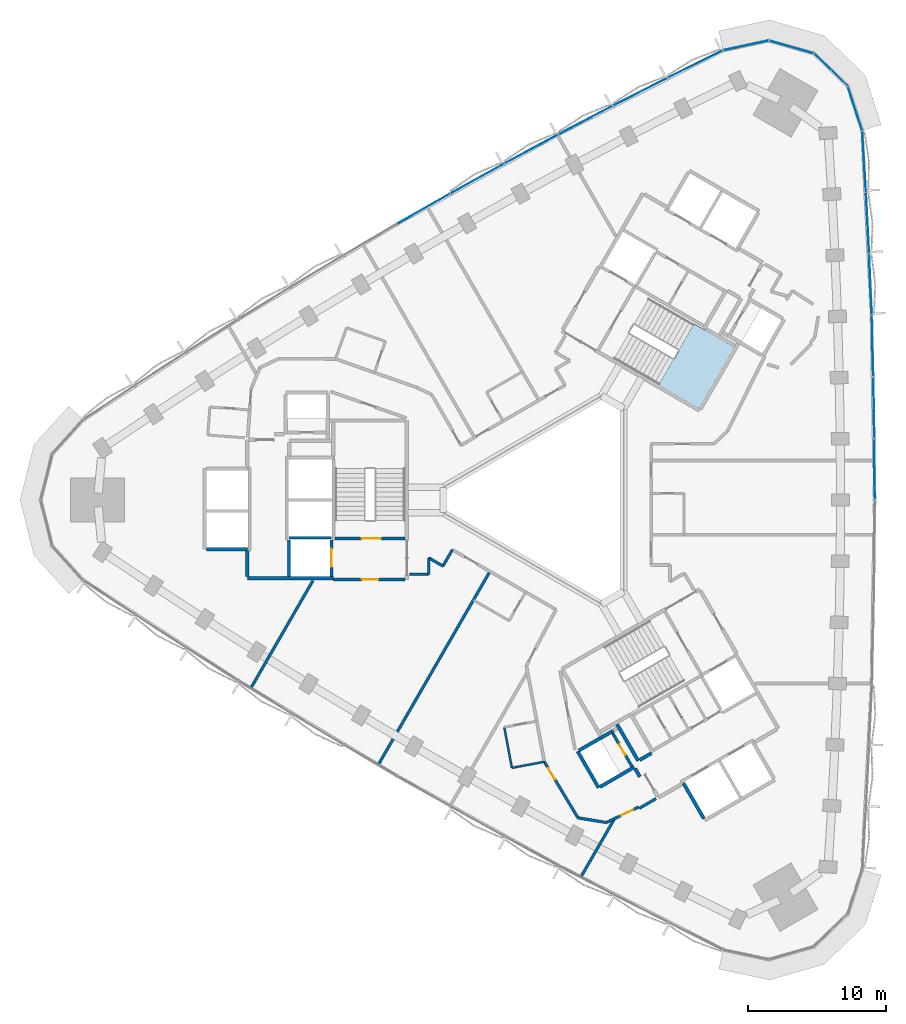
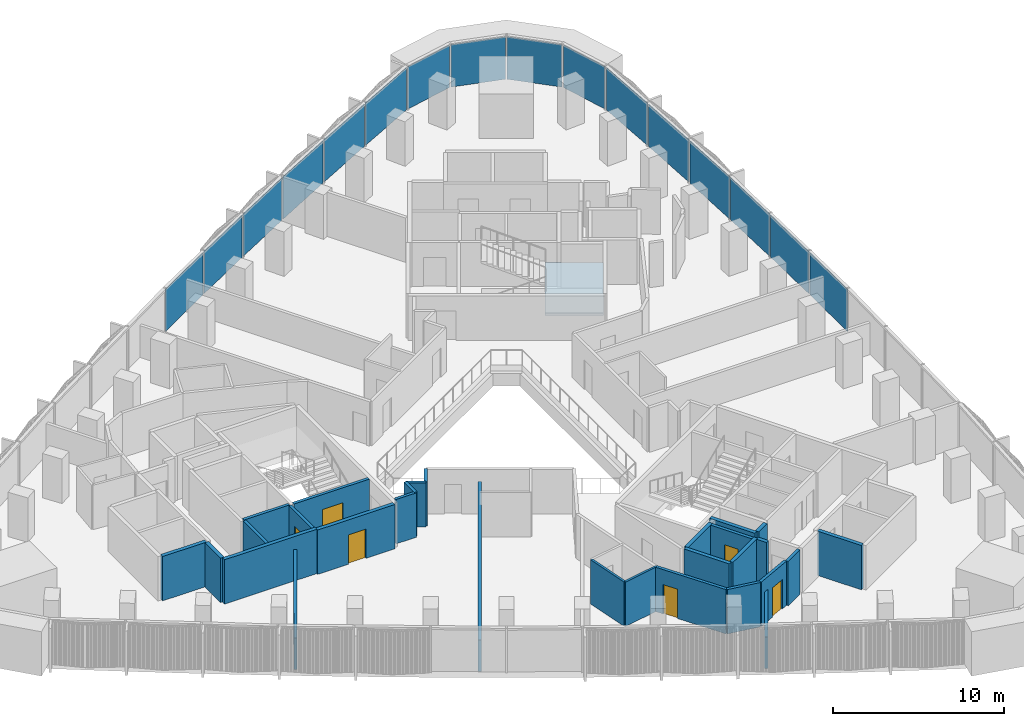
# One storey, part 7 of 15: 29 walls, 16 plates, 6 doors, 1 slab, 6 openings, 3 elements without a shape of their own.
"""IFC4 building model written with IfcOpenShell, lengths in metres."""

from ifc_helpers import new_model, si_unit, direction, frame, frame_2d, origin, origin_2d, place, context, subcontext, project, spatial, polyline, rectangle, outline, extrude, material, layer, layer_set, type_object, element, fill, aggregate, save


model = new_model("IFC4")

# Units and contexts
model_context = context("Model", 3, precision=1e-05, world=origin(), true_north=direction((0.0, 1.0)))
body_context = subcontext(model_context, "Body", "Model", "MODEL_VIEW")
ifc_project = project(units=[si_unit("LENGTHUNIT", "METRE"), si_unit("AREAUNIT", "SQUARE_METRE"), si_unit("VOLUMEUNIT", "CUBIC_METRE"), si_unit("PLANEANGLEUNIT", "RADIAN"), si_unit("MASSUNIT", "GRAM", prefix="KILO")], contexts=[model_context])

# Site, building, storey
site_placement = place(None, origin())
site = spatial("IfcSite", under=ifc_project, at=site_placement, CompositionType="ELEMENT")
building_placement = place(site_placement, origin())
building = spatial("IfcBuilding", under=site, at=building_placement, Name="Tamra Quay Hotel Tower", CompositionType="ELEMENT")
storey_placement = place(building_placement, frame((0.0, 0.0, 97.39990234375)))
storey = spatial("IfcBuildingStorey", under=building, at=storey_placement, Name="L23", CompositionType="ELEMENT", Elevation=97.39990234375)

# Stair, slab
ifc_material_1 = material(Name="Exit stair 2200 24 risers 150.0 going 342")
stair_type = type_object("IfcStairType", Name="Exit stair 2200 24 risers 150.0 going 342", PredefinedType="HALF_TURN_STAIR", material=ifc_material_1)
stair_placement = place(storey_placement, origin())
stair = element("IfcStair", 1, at=stair_placement, inside=storey, type_object=stair_type, Name="L23 Exit stair ST1", PredefinedType="HALF_TURN_STAIR")
ifc_material_2 = material(Name="Concrete M70", Category="concrete")
ifc_layer_1 = layer(ifc_material_2, 0.175048828125)
ifc_layer_set_1 = layer_set([ifc_layer_1], Name="Concrete M70 stair landing 180")
slab_type = type_object("IfcSlabType", Name="Concrete M70 stair landing 180", PredefinedType="LANDING", material=ifc_layer_set_1)
slab_placement = place(storey_placement, frame((0.0, 0.0, 1.625)))
slab = element("IfcSlab", 2, at=slab_placement, type_object=slab_type, Name="ST1 landing 1", PredefinedType="LANDING", context=body_context, shape_type="SweptSolid", body=[
    extrude(outline(polyline([(7.425048828125, 8.336669921875), (10.385009765625, 6.627685546875), (12.964599609375, 11.095458984375), (10.00439453125, 12.804443359375), (7.425048828125, 8.336669921875)])), origin(), (0.0, 0.0, 1.0), 0.175048828125),
])
aggregate(stair, [slab])

# Curtain wall, plates
ifc_material_3 = material(Name="Aluminium 6063 anodised dark grey", Category="aluminium")
curtain_wall_type_1 = type_object("IfcCurtainWallType", Name="CW1 CURTAIN WALL", PredefinedType="NOTDEFINED", material=ifc_material_3)
curtain_wall_1_placement = place(storey_placement, origin())
curtain_wall_1 = element("IfcCurtainWall", 3, at=curtain_wall_1_placement, inside=storey, type_object=curtain_wall_type_1, Name="CW1 east face L23", PredefinedType="NOTDEFINED")
ifc_material_4 = material(Name="Glass clear laminated low-iron", Category="glass")
ifc_layer_2 = layer(ifc_material_4, 0.033935546875)
ifc_layer_set_2 = layer_set([ifc_layer_2], Name="GLASS PANEL CW1 Z2")
plate_type_1 = type_object("IfcPlateType", Name="GLASS PANEL CW1 Z2", PredefinedType="CURTAIN_PANEL", material=ifc_layer_set_2)
plate_1_placement = place(storey_placement, frame((23.132080078125, 2.236572265625, 0.0), z_axis=(0.0, 0.0, 1.0), x_axis=(-0.00571269185, 0.999983682443, 0.0)))
plate_1 = element("IfcPlate", 4, at=plate_1_placement, type_object=plate_type_1, Name="CW1 glass L23.E.7", PredefinedType="CURTAIN_PANEL", context=body_context, shape_type="SweptSolid", body=[
    extrude(rectangle(XDim=4.373291015625, YDim=0.033935546875, at=origin_2d()), origin(), (0.0, 0.0, 1.0), 3.034912109375),
])
plate_2_placement = place(storey_placement, frame((23.080810546875, 6.70947265625, 0.0), z_axis=(0.0, 0.0, 1.0), x_axis=(-0.017133948461, 0.99985320313, 0.0)))
plate_2 = element("IfcPlate", 5, at=plate_2_placement, type_object=plate_type_1, Name="CW1 glass L23.E.8", PredefinedType="CURTAIN_PANEL", context=body_context, shape_type="SweptSolid", body=[
    extrude(rectangle(XDim=4.373291015625, YDim=0.033935546875, at=origin_2d()), origin(), (0.0, 0.0, 1.0), 3.034912109375),
])
plate_3_placement = place(storey_placement, frame((22.978759765625, 11.181396484375, 0.0), z_axis=(0.0, 0.0, 1.0), x_axis=(-0.028546324212, 0.999592470647, 0.0)))
plate_3 = element("IfcPlate", 6, at=plate_3_placement, type_object=plate_type_1, Name="CW1 glass L23.E.9", PredefinedType="CURTAIN_PANEL", context=body_context, shape_type="SweptSolid", body=[
    extrude(rectangle(XDim=4.373291015625, YDim=0.033935546875, at=origin_2d()), origin(), (0.0, 0.0, 1.0), 3.034912109375),
])
plate_4_placement = place(storey_placement, frame((22.825439453125, 15.652099609375, 0.0), z_axis=(0.0, 0.0, 1.0), x_axis=(-0.039943885581, 0.99920192454, 0.0)))
plate_4 = element("IfcPlate", 7, at=plate_4_placement, type_object=plate_type_1, Name="CW1 glass L23.E.10", PredefinedType="CURTAIN_PANEL", context=body_context, shape_type="SweptSolid", body=[
    extrude(rectangle(XDim=4.373291015625, YDim=0.033935546875, at=origin_2d()), origin(), (0.0, 0.0, 1.0), 3.034912109375),
])
plate_5_placement = place(storey_placement, frame((22.621337890625, 20.12060546875, 0.0), z_axis=(0.0, 0.0, 1.0), x_axis=(-0.051320736558, 0.998682222731, 0.0)))
plate_5 = element("IfcPlate", 8, at=plate_5_placement, type_object=plate_type_1, Name="CW1 glass L23.E.11", PredefinedType="CURTAIN_PANEL", context=body_context, shape_type="SweptSolid", body=[
    extrude(rectangle(XDim=4.373291015625, YDim=0.033935546875, at=origin_2d()), origin(), (0.0, 0.0, 1.0), 3.034912109375),
])
plate_6_placement = place(storey_placement, frame((22.366455078125, 24.5859375, 0.0), z_axis=(0.0, 0.0, 1.0), x_axis=(-0.062669917068, 0.998034308776, 0.0)))
plate_6 = element("IfcPlate", 9, at=plate_6_placement, type_object=plate_type_1, Name="CW1 glass L23.E.12", PredefinedType="CURTAIN_PANEL", context=body_context, shape_type="SweptSolid", body=[
    extrude(rectangle(XDim=4.372314453125, YDim=0.033935546875, at=origin_2d()), origin(), (0.0, 0.0, 1.0), 3.034912109375),
])
plate_7_placement = place(storey_placement, frame((21.70166015625, 28.43994140625, 0.0), z_axis=(0.0, 0.0, 1.0), x_axis=(-0.307790863622, 0.951454036867, 0.0)))
plate_7 = element("IfcPlate", 10, at=plate_7_placement, type_object=plate_type_1, Name="CW1 glass L23.E.13", PredefinedType="CURTAIN_PANEL", context=body_context, shape_type="SweptSolid", body=[
    extrude(rectangle(XDim=3.31005859375, YDim=0.033935546875, at=origin_2d()), origin(), (0.0, 0.0, 1.0), 3.034912109375),
])
plate_8_placement = place(storey_placement, frame((19.95068359375, 31.247314453125, 0.0), z_axis=(0.0, 0.0, 1.0), x_axis=(-0.71904127153, 0.694967373217, 0.0)))
plate_8 = element("IfcPlate", 11, at=plate_8_placement, type_object=plate_type_1, Name="CW1 glass L23.E.14", PredefinedType="CURTAIN_PANEL", context=body_context, shape_type="SweptSolid", body=[
    extrude(rectangle(XDim=3.31005859375, YDim=0.033935546875, at=origin_2d()), origin(), (0.0, 0.0, 1.0), 3.034912109375),
])
plate_9_placement = place(storey_placement, frame((17.08544921875, 32.9013671875, 0.0), z_axis=(0.0, 0.0, 1.0), x_axis=(-0.961380035772, 0.275224320906, 0.0)))
plate_9 = element("IfcPlate", 12, at=plate_9_placement, type_object=plate_type_1, Name="CW1 glass L23.E.15", PredefinedType="CURTAIN_PANEL", context=body_context, shape_type="SweptSolid", body=[
    extrude(rectangle(XDim=3.31005859375, YDim=0.033935546875, at=origin_2d()), origin(), (0.0, 0.0, 1.0), 3.034912109375),
])
plate_10_placement = place(storey_placement, frame((13.779052734375, 33.01416015625, 0.0), z_axis=(0.0, 0.0, 1.0), x_axis=(-0.977878798271, -0.209172311484, 0.0)))
plate_10 = element("IfcPlate", 13, at=plate_10_placement, type_object=plate_type_1, Name="CW1 glass L23.E.16", PredefinedType="CURTAIN_PANEL", context=body_context, shape_type="SweptSolid", body=[
    extrude(rectangle(XDim=3.31005859375, YDim=0.033935546875, at=origin_2d()), origin(), (0.0, 0.0, 1.0), 3.034912109375),
])
aggregate(curtain_wall_1, [plate_1, plate_2, plate_3, plate_4, plate_5, plate_6, plate_7, plate_8, plate_9, plate_10])

curtain_wall_type_2 = type_object("IfcCurtainWallType", Name="CW2 CURTAIN WALL", PredefinedType="NOTDEFINED", material=ifc_material_3)
curtain_wall_2_placement = place(storey_placement, origin())
curtain_wall_2 = element("IfcCurtainWall", 14, at=curtain_wall_2_placement, inside=storey, type_object=curtain_wall_type_2, Name="CW2 north-west face L23", PredefinedType="NOTDEFINED")
ifc_layer_3 = layer(ifc_material_4, 0.033935546875)
ifc_layer_set_3 = layer_set([ifc_layer_3], Name="GLASS PANEL CW2 Z2")
plate_type_2 = type_object("IfcPlateType", Name="GLASS PANEL CW2 Z2", PredefinedType="CURTAIN_PANEL", material=ifc_layer_set_3)
plate_11_placement = place(storey_placement, frame((10.10888671875, 31.662841796875, 0.0), z_axis=(0.0, 0.0, 1.0), x_axis=(-0.895658023783, -0.444743414154, 0.0)))
plate_11 = element("IfcPlate", 15, at=plate_11_placement, type_object=plate_type_2, Name="CW2 glass L23.NW.1", PredefinedType="CURTAIN_PANEL", context=body_context, shape_type="SweptSolid", body=[
    extrude(rectangle(XDim=4.372314453125, YDim=0.033935546875, at=origin_2d()), origin(), (0.0, 0.0, 1.0), 3.034912109375),
])
plate_12_placement = place(storey_placement, frame((6.1142578125, 29.65087890625, 0.0), z_axis=(0.0, 0.0, 1.0), x_axis=(-0.890544543472, -0.454896049765, 0.0)))
plate_12 = element("IfcPlate", 16, at=plate_12_placement, type_object=plate_type_2, Name="CW2 glass L23.NW.2", PredefinedType="CURTAIN_PANEL", context=body_context, shape_type="SweptSolid", body=[
    extrude(rectangle(XDim=4.373291015625, YDim=0.033935546875, at=origin_2d()), origin(), (0.0, 0.0, 1.0), 3.034912109375),
])
plate_13_placement = place(storey_placement, frame((2.142333984375, 27.593505859375, 0.0), z_axis=(0.0, 0.0, 1.0), x_axis=(-0.885306192952, -0.465008542631, 0.0)))
plate_13 = element("IfcPlate", 17, at=plate_13_placement, type_object=plate_type_2, Name="CW2 glass L23.NW.3", PredefinedType="CURTAIN_PANEL", context=body_context, shape_type="SweptSolid", body=[
    extrude(rectangle(XDim=4.373291015625, YDim=0.033935546875, at=origin_2d()), origin(), (0.0, 0.0, 1.0), 3.034912109375),
])
plate_14_placement = place(storey_placement, frame((-1.805908203125, 25.490966796875, 0.0), z_axis=(0.0, 0.0, 1.0), x_axis=(-0.879945635118, -0.475074393371, 0.0)))
plate_14 = element("IfcPlate", 18, at=plate_14_placement, type_object=plate_type_2, Name="CW2 glass L23.NW.4", PredefinedType="CURTAIN_PANEL", context=body_context, shape_type="SweptSolid", body=[
    extrude(rectangle(XDim=4.373291015625, YDim=0.033935546875, at=origin_2d()), origin(), (0.0, 0.0, 1.0), 3.034912109375),
])
plate_15_placement = place(storey_placement, frame((-5.729736328125, 23.34326171875, 0.0), z_axis=(0.0, 0.0, 1.0), x_axis=(-0.874465248197, -0.485088166931, 0.0)))
plate_15 = element("IfcPlate", 19, at=plate_15_placement, type_object=plate_type_2, Name="CW2 glass L23.NW.5", PredefinedType="CURTAIN_PANEL", context=body_context, shape_type="SweptSolid", body=[
    extrude(rectangle(XDim=4.373291015625, YDim=0.033935546875, at=origin_2d()), origin(), (0.0, 0.0, 1.0), 3.034912109375),
])
plate_16_placement = place(storey_placement, frame((-9.629150390625, 21.151123046875, 0.0), z_axis=(0.0, 0.0, 1.0), x_axis=(-0.86886761829, -0.495044504955, 0.0)))
plate_16 = element("IfcPlate", 20, at=plate_16_placement, type_object=plate_type_2, Name="CW2 glass L23.NW.6", PredefinedType="CURTAIN_PANEL", context=body_context, shape_type="SweptSolid", body=[
    extrude(rectangle(XDim=4.373291015625, YDim=0.033935546875, at=origin_2d()), origin(), (0.0, 0.0, 1.0), 3.034912109375),
])
aggregate(curtain_wall_2, [plate_11, plate_12, plate_13, plate_14, plate_15, plate_16])

# Wall, opening, door
ifc_layer_4 = layer(ifc_material_2, 0.199951171875)
ifc_layer_set_4 = layer_set([ifc_layer_4], Name="Concrete M70 core wall 200")
wall_type_1 = type_object("IfcWallType", Name="Concrete M70 core wall 200", PredefinedType="SHEAR", material=ifc_layer_set_4)
wall_1_placement = place(storey_placement, frame((-10.96337890625, -2.800048828125, 0.0), z_axis=(0.0, 0.0, 1.0), x_axis=(-1.0, 0.0, 0.0)))
wall_1 = element("IfcWall", 21, at=wall_1_placement, inside=storey, type_object=wall_type_1, Name="CW2", PredefinedType="SHEAR", context=body_context, shape_type="SweptSolid", body=[
    extrude(rectangle(XDim=5.097900390625, YDim=0.199951171875, at=frame_2d((2.548828125, 0.0))), origin(), (0.0, 0.0, 1.0), 3.175048828125),
])
opening_1_placement = place(wall_1_placement, frame((1.77392578125, 0.0, 0.0)))
opening_1 = element("IfcOpeningElement", 22, at=opening_1_placement, cuts=wall_1, Name="Opening FD2", PredefinedType="OPENING", context=body_context, shape_type="SweptSolid", body=[
    extrude(rectangle(XDim=1.39990234375, YDim=2.10009765625, at=frame_2d((0.699951171875, 1.050048828125))), frame((0.0, 0.10986328125, 0.0), z_axis=(0.0, -1.0, 0.0), x_axis=(1.0, 0.0, 0.0)), (0.0, 0.0, 1.0), 0.219970703125),
])
ifc_material_5 = material(Name="Core door FD2 1400x2100 RH")
door_type_1 = type_object("IfcDoorType", Name="Core door FD2 1400x2100 RH", OperationType="NOTDEFINED", PredefinedType="DOOR", material=ifc_material_5)
door_1_placement = place(opening_1_placement, origin())
door_1 = element("IfcDoor", 23, at=door_1_placement, inside=storey, type_object=door_type_1, Name="FD2", OperationType="SINGLE_SWING_RIGHT", OverallHeight=2.10009765625, OverallWidth=1.39990234375, PredefinedType="DOOR", context=body_context, shape_type="SweptSolid", body=[
    extrude(rectangle(XDim=1.39990234375, YDim=2.10009765625, at=frame_2d((0.699951171875, 1.050048828125))), frame((0.0, 0.02490234375, 0.0), z_axis=(0.0, -1.0, 0.0), x_axis=(1.0, 0.0, 0.0)), (0.0, 0.0, 1.0), 0.050048828125),
])
fill(opening_1, door_1)

# Wall
wall_2_placement = place(storey_placement, frame((-19.412353515625, -2.75, 0.0), z_axis=(0.0, 0.0, 1.0), x_axis=(1.0, 0.0, 0.0)))
element("IfcWall", 24, at=wall_2_placement, inside=storey, type_object=wall_type_1, Name="CW2", PredefinedType="SHEAR", context=body_context, shape_type="SweptSolid", body=[
    extrude(rectangle(XDim=3.10009765625, YDim=0.199951171875, at=frame_2d((1.550048828125, 0.0))), origin(), (0.0, 0.0, 1.0), 3.175048828125),
])

# Wall, opening, door
wall_3_placement = place(storey_placement, frame((-16.312255859375, -2.898193359375, 0.0), z_axis=(0.0, 0.0, 1.0), x_axis=(0.0, -1.0, 0.0)))
wall_3 = element("IfcWall", 25, at=wall_3_placement, inside=storey, type_object=wall_type_1, Name="CW2", PredefinedType="SHEAR", context=body_context, shape_type="SweptSolid", body=[
    extrude(rectangle(XDim=2.65087890625, YDim=0.199951171875, at=frame_2d((1.325439453125, 0.0))), origin(), (0.0, 0.0, 1.0), 3.175048828125),
])
opening_2_placement = place(wall_3_placement, frame((0.65185546875, 0.0, 0.0)))
opening_2 = element("IfcOpeningElement", 26, at=opening_2_placement, cuts=wall_3, Name="Opening LD", PredefinedType="OPENING", context=body_context, shape_type="SweptSolid", body=[
    extrude(rectangle(XDim=1.300048828125, YDim=2.10009765625, at=frame_2d((0.64990234375, 1.050048828125))), frame((0.0, 0.10986328125, 0.0), z_axis=(0.0, -1.0, 0.0), x_axis=(1.0, 0.0, 0.0)), (0.0, 0.0, 1.0), 0.219970703125),
])
ifc_material_6 = material(Name="Landing door LD 1300 sliding to right")
door_type_2 = type_object("IfcDoorType", Name="Landing door LD 1300 sliding to right", OperationType="NOTDEFINED", PredefinedType="DOOR", material=ifc_material_6)
door_2_placement = place(opening_2_placement, origin())
door_2 = element("IfcDoor", 27, at=door_2_placement, inside=storey, type_object=door_type_2, Name="LD", OperationType="SLIDING_TO_RIGHT", OverallHeight=2.10009765625, OverallWidth=1.300048828125, PredefinedType="DOOR", context=body_context, shape_type="SweptSolid", body=[
    extrude(rectangle(XDim=1.300048828125, YDim=2.10009765625, at=frame_2d((0.64990234375, 1.050048828125))), frame((0.0, 0.02490234375, 0.0), z_axis=(0.0, -1.0, 0.0), x_axis=(1.0, 0.0, 0.0)), (0.0, 0.0, 1.0), 0.050048828125),
])
fill(opening_2, door_2)

# Wall
wall_4_placement = place(storey_placement, frame((-19.412353515625, -5.549072265625, 0.0), z_axis=(0.0, 0.0, 1.0), x_axis=(0.0, 1.0, 0.0)))
element("IfcWall", 28, at=wall_4_placement, inside=storey, type_object=wall_type_1, Name="CW2", PredefinedType="SHEAR", context=body_context, shape_type="SweptSolid", body=[
    extrude(rectangle(XDim=2.65087890625, YDim=0.199951171875, at=frame_2d((1.325439453125, 0.0))), origin(), (0.0, 0.0, 1.0), 3.175048828125),
])

# Wall, opening, door
wall_5_placement = place(storey_placement, frame((5.50341796875, -19.352294921875, 0.0), z_axis=(0.0, 0.0, 1.0), x_axis=(-0.499986818241, 0.866033014143, 0.0)))
wall_5 = element("IfcWall", 29, at=wall_5_placement, inside=storey, type_object=wall_type_1, Name="CW2", PredefinedType="SHEAR", context=body_context, shape_type="SweptSolid", body=[
    extrude(rectangle(XDim=2.7978515625, YDim=0.199951171875, at=frame_2d((1.39892578125, 0.0))), origin(), (0.0, 0.0, 1.0), 3.175048828125),
])
opening_3_placement = place(wall_5_placement, frame((0.948974609375, 0.0, 0.0)))
opening_3 = element("IfcOpeningElement", 30, at=opening_3_placement, cuts=wall_5, Name="Opening D1", PredefinedType="OPENING", context=body_context, shape_type="SweptSolid", body=[
    extrude(rectangle(XDim=0.89990234375, YDim=2.10009765625, at=frame_2d((0.449951171875, 1.050048828125))), frame((0.0, 0.10986328125, 0.0), z_axis=(0.0, -1.0, 0.0), x_axis=(1.0, 0.0, 0.0)), (0.0, 0.0, 1.0), 0.219970703125),
])
ifc_material_7 = material(Name="Core door D1 900x2100 RH")
door_type_3 = type_object("IfcDoorType", Name="Core door D1 900x2100 RH", OperationType="NOTDEFINED", PredefinedType="DOOR", material=ifc_material_7)
door_3_placement = place(opening_3_placement, origin())
door_3 = element("IfcDoor", 31, at=door_3_placement, inside=storey, type_object=door_type_3, Name="D1", OperationType="SINGLE_SWING_RIGHT", OverallHeight=2.10009765625, OverallWidth=0.89990234375, PredefinedType="DOOR", context=body_context, shape_type="SweptSolid", body=[
    extrude(rectangle(XDim=0.89990234375, YDim=2.10009765625, at=frame_2d((0.449951171875, 1.050048828125))), frame((0.0, 0.02490234375, 0.0), z_axis=(0.0, -1.0, 0.0), x_axis=(1.0, 0.0, 0.0)), (0.0, 0.0, 1.0), 0.050048828125),
])
fill(opening_3, door_3)

# Wall
ifc_layer_5 = layer(ifc_material_2, 0.25)
ifc_layer_set_5 = layer_set([ifc_layer_5], Name="Concrete M70 core wall 250")
wall_type_2 = type_object("IfcWallType", Name="Concrete M70 core wall 250", PredefinedType="SHEAR", material=ifc_layer_set_5)
wall_6_placement = place(storey_placement, frame((-16.187255859375, -5.675048828125, 0.0), z_axis=(0.0, 0.0, 1.0), x_axis=(-1.0, 0.0, 0.0)))
element("IfcWall", 32, at=wall_6_placement, inside=storey, type_object=wall_type_2, Name="CW1", PredefinedType="SHEAR", context=body_context, shape_type="SweptSolid", body=[
    extrude(rectangle(XDim=6.25, YDim=0.25, at=frame_2d((3.125, 0.0))), origin(), (0.0, 0.0, 1.0), 3.175048828125),
])

# Wall, opening, door
wall_7_placement = place(storey_placement, frame((-10.962646484375, -5.77490234375, 0.0), z_axis=(0.0, 0.0, 1.0), x_axis=(-1.0, 0.0, 0.0)))
wall_7 = element("IfcWall", 33, at=wall_7_placement, inside=storey, type_object=wall_type_2, Name="CW1", PredefinedType="SHEAR", context=body_context, shape_type="SweptSolid", body=[
    extrude(rectangle(XDim=5.224609375, YDim=0.25, at=frame_2d((2.6123046875, 0.0))), origin(), (0.0, 0.0, 1.0), 3.175048828125),
])
opening_4_placement = place(wall_7_placement, frame((1.94970703125, 0.0, 0.0)))
opening_4 = element("IfcOpeningElement", 34, at=opening_4_placement, cuts=wall_7, Name="Opening D2", PredefinedType="OPENING", context=body_context, shape_type="SweptSolid", body=[
    extrude(rectangle(XDim=1.199951171875, YDim=2.10009765625, at=frame_2d((0.60009765625, 1.050048828125))), frame((0.0, 0.135009765625, 0.0), z_axis=(0.0, -1.0, 0.0), x_axis=(1.0, 0.0, 0.0)), (0.0, 0.0, 1.0), 0.27001953125),
])
ifc_material_8 = material(Name="Core door D2 1200x2100 LH")
door_type_4 = type_object("IfcDoorType", Name="Core door D2 1200x2100 LH", OperationType="NOTDEFINED", PredefinedType="DOOR", material=ifc_material_8)
door_4_placement = place(opening_4_placement, origin())
door_4 = element("IfcDoor", 35, at=door_4_placement, inside=storey, type_object=door_type_4, Name="D2", OperationType="SINGLE_SWING_LEFT", OverallHeight=2.10009765625, OverallWidth=1.199951171875, PredefinedType="DOOR", context=body_context, shape_type="SweptSolid", body=[
    extrude(rectangle(XDim=1.199951171875, YDim=2.10009765625, at=frame_2d((0.60009765625, 1.050048828125))), frame((0.0, 0.02490234375, 0.0), z_axis=(0.0, -1.0, 0.0), x_axis=(1.0, 0.0, 0.0)), (0.0, 0.0, 1.0), 0.050048828125),
])
fill(opening_4, door_4)

# Walls
wall_8_placement = place(storey_placement, frame((-22.437255859375, -3.574951171875, 0.0), z_axis=(0.0, 0.0, 1.0), x_axis=(-1.0, 0.0, 0.0)))
element("IfcWall", 36, at=wall_8_placement, inside=storey, type_object=wall_type_2, Name="CW1", PredefinedType="SHEAR", context=body_context, shape_type="SweptSolid", body=[
    extrude(rectangle(XDim=2.974609375, YDim=0.25, at=frame_2d((1.4873046875, 0.0))), origin(), (0.0, 0.0, 1.0), 3.175048828125),
])
wall_9_placement = place(storey_placement, frame((-22.437255859375, -5.549560546875, 0.0), z_axis=(0.0, 0.0, 1.0), x_axis=(0.0, 1.0, 0.0)))
element("IfcWall", 37, at=wall_9_placement, inside=storey, type_object=wall_type_2, Name="CW1", PredefinedType="SHEAR", context=body_context, shape_type="SweptSolid", body=[
    extrude(rectangle(XDim=1.84912109375, YDim=0.25, at=frame_2d((0.924560546875, 0.0))), origin(), (0.0, 0.0, 1.0), 3.175048828125),
])
wall_10_placement = place(storey_placement, frame((10.73583984375, -23.144775390625, 0.0), z_axis=(0.0, 0.0, 1.0), x_axis=(-0.500023226632, 0.866011993467, 0.0)))
element("IfcWall", 38, at=wall_10_placement, inside=storey, type_object=wall_type_2, Name="CW1", PredefinedType="SHEAR", context=body_context, shape_type="SweptSolid", body=[
    extrude(rectangle(XDim=2.974365234375, YDim=0.25, at=frame_2d((1.4873046875, 0.0))), origin(), (0.0, 0.0, 1.0), 3.175048828125),
])
wall_11_placement = place(storey_placement, frame((3.085205078125, -20.893798828125, 0.0), z_axis=(0.0, 0.0, 1.0), x_axis=(-0.499978833458, 0.866037623948, 0.0)))
element("IfcWall", 39, at=wall_11_placement, inside=storey, type_object=wall_type_2, Name="CW1", PredefinedType="SHEAR", context=body_context, shape_type="SweptSolid", body=[
    extrude(rectangle(XDim=3.050048828125, YDim=0.25, at=frame_2d((1.52490234375, 0.0))), origin(), (0.0, 0.0, 1.0), 3.175048828125),
])
wall_12_placement = place(storey_placement, frame((1.6689453125, -18.189697265625, 0.0), z_axis=(0.0, 0.0, 1.0), x_axis=(0.866042235819, 0.499970844928, 0.0)))
element("IfcWall", 40, at=wall_12_placement, inside=storey, type_object=wall_type_2, Name="CW1", PredefinedType="SHEAR", context=body_context, shape_type="SweptSolid", body=[
    extrude(rectangle(XDim=2.864501953125, YDim=0.25, at=frame_2d((1.43212890625, 0.0))), origin(), (0.0, 0.0, 1.0), 3.175048828125),
])
wall_13_placement = place(storey_placement, frame((5.6748046875, -19.39892578125, 0.0), z_axis=(0.0, 0.0, 1.0), x_axis=(-0.866026637627, -0.499997862916, 0.0)))
element("IfcWall", 41, at=wall_13_placement, inside=storey, type_object=wall_type_2, Name="CW1", PredefinedType="SHEAR", context=body_context, shape_type="SweptSolid", body=[
    extrude(rectangle(XDim=2.86474609375, YDim=0.25, at=frame_2d((1.432373046875, 0.0))), origin(), (0.0, 0.0, 1.0), 3.175048828125),
])
wall_14_placement = place(storey_placement, frame((4.414306640625, -16.275634765625, 0.0), z_axis=(0.0, 0.0, 1.0), x_axis=(0.500003324108, -0.866023484601, 0.0)))
element("IfcWall", 42, at=wall_14_placement, inside=storey, type_object=wall_type_2, Name="CW1", PredefinedType="SHEAR", context=body_context, shape_type="SweptSolid", body=[
    extrude(rectangle(XDim=3.0849609375, YDim=0.25, at=frame_2d((1.54248046875, 0.0))), origin(), (0.0, 0.0, 1.0), 3.175048828125),
])
wall_15_placement = place(storey_placement, frame((6.0654296875, -18.884765625, 0.0), z_axis=(0.0, 0.0, 1.0), x_axis=(0.866017078145, 0.500014420154, 0.0)))
element("IfcWall", 43, at=wall_15_placement, inside=storey, type_object=wall_type_2, Name="CW1", PredefinedType="SHEAR", context=body_context, shape_type="SweptSolid", body=[
    extrude(rectangle(XDim=0.9892578125, YDim=0.25, at=frame_2d((0.49462890625, 0.0))), origin(), (0.0, 0.0, 1.0), 3.175048828125),
])
wall_16_placement = place(storey_placement, frame((6.07958984375, -20.100341796875, 0.0), z_axis=(0.0, 0.0, 1.0), x_axis=(-0.500051773299, 0.865995510393, 0.0)))
element("IfcWall", 44, at=wall_16_placement, inside=storey, type_object=wall_type_2, Name="CW1", PredefinedType="SHEAR", context=body_context, shape_type="SweptSolid", body=[
    extrude(rectangle(XDim=0.6845703125, YDim=0.25, at=frame_2d((0.34228515625, 0.0))), origin(), (0.0, 0.0, 1.0), 3.175048828125),
])
ifc_material_9 = material(Name="Partition corridor wall")
ifc_layer_6 = layer(ifc_material_9, 0.199951171875)
ifc_layer_set_6 = layer_set([ifc_layer_6], Name="Partition corridor wall")
wall_type_3 = type_object("IfcWallType", Name="Partition corridor wall", PredefinedType="PARTITIONING", material=ifc_layer_set_6)
wall_17_placement = place(storey_placement, frame((-10.65234375, -5.39990234375, 0.0), z_axis=(0.0, 0.0, 1.0), x_axis=(1.0, 0.0, 0.0)))
element("IfcWall", 45, at=wall_17_placement, inside=storey, type_object=wall_type_3, Name="W-C", PredefinedType="PARTITIONING", context=body_context, shape_type="SweptSolid", body=[
    extrude(rectangle(XDim=1.390380859375, YDim=0.199951171875, at=frame_2d((0.6953125, 0.0))), origin(), (0.0, 0.0, 1.0), 3.175048828125),
])
for number, where, z_axis, x_axis, name in (
    (46, (-9.261962890625, -5.39990234375, 0.0), (0.0, 0.0, 1.0), (0.0, 1.0, 0.0), "W-C"),
    (47, (-9.261962890625, -4.199951171875, 0.0), (0.0, 0.0, 1.0), (0.865955154139, -0.50012165622, 0.0), "W-C"),
):
    element("IfcWall", number, at=place(storey_placement, frame(where, z_axis=z_axis, x_axis=x_axis)), inside=storey, type_object=wall_type_3, Name=name, PredefinedType="PARTITIONING", context=body_context, shape_type="SweptSolid", body=[
        extrude(rectangle(XDim=1.199951171875, YDim=0.199951171875, at=frame_2d((0.60009765625, 0.0))), origin(), (0.0, 0.0, 1.0), 3.175048828125),
    ])
wall_18_placement = place(storey_placement, frame((-8.222900390625, -4.800048828125, 0.0), z_axis=(0.0, 0.0, 1.0), x_axis=(0.499804837697, 0.866138051476, 0.0)))
element("IfcWall", 48, at=wall_18_placement, inside=storey, type_object=wall_type_3, Name="W-C", PredefinedType="PARTITIONING", context=body_context, shape_type="SweptSolid", body=[
    extrude(rectangle(XDim=1.3681640625, YDim=0.199951171875, at=frame_2d((0.68408203125, 0.0))), origin(), (0.0, 0.0, 1.0), 3.175048828125),
])

# Wall, opening, door
wall_19_placement = place(storey_placement, frame((-0.85791015625, -19.01708984375, 0.0), z_axis=(0.0, 0.0, 1.0), x_axis=(0.514586543775, -0.857438446167, 0.0)))
wall_19 = element("IfcWall", 49, at=wall_19_placement, inside=storey, type_object=wall_type_3, Name="W-C", PredefinedType="PARTITIONING", context=body_context, shape_type="SweptSolid", body=[
    extrude(rectangle(XDim=4.745361328125, YDim=0.199951171875, at=frame_2d((2.37255859375, 0.0))), origin(), (0.0, 0.0, 1.0), 3.175048828125),
])
opening_5_placement = place(wall_19_placement, frame((0.54541015625, 0.0, 0.0)))
opening_5 = element("IfcOpeningElement", 50, at=opening_5_placement, cuts=wall_19, Name="Opening L23-D017", PredefinedType="OPENING", context=body_context, shape_type="SweptSolid", body=[
    extrude(rectangle(XDim=0.949951171875, YDim=2.10009765625, at=frame_2d((0.47509765625, 1.050048828125))), frame((0.0, 0.10986328125, 0.0), z_axis=(0.0, -1.0, 0.0), x_axis=(1.0, 0.0, 0.0)), (0.0, 0.0, 1.0), 0.219970703125),
])
ifc_material_10 = material(Name="Door guest room 950x2100")
door_type_5 = type_object("IfcDoorType", Name="Door guest room 950x2100", OperationType="NOTDEFINED", PredefinedType="DOOR", material=ifc_material_10)
door_5_placement = place(opening_5_placement, frame((0.949951171875, 0.0, 0.0), z_axis=(0.0, 0.0, 1.0), x_axis=(-1.0, 0.0, 0.0)))
door_5 = element("IfcDoor", 51, at=door_5_placement, inside=storey, type_object=door_type_5, Name="L23-D017", OperationType="SINGLE_SWING_LEFT", OverallHeight=2.10009765625, OverallWidth=0.949951171875, PredefinedType="DOOR", context=body_context, shape_type="SweptSolid", body=[
    extrude(rectangle(XDim=0.949951171875, YDim=2.10009765625, at=frame_2d((0.47509765625, 1.050048828125))), frame((0.0, 0.02490234375, 0.0), z_axis=(0.0, -1.0, 0.0), x_axis=(1.0, 0.0, 0.0)), (0.0, 0.0, 1.0), 0.050048828125),
])
fill(opening_5, door_5)

# Wall
wall_20_placement = place(storey_placement, frame((1.583984375, -23.0859375, 0.0), z_axis=(0.0, 0.0, 1.0), x_axis=(0.986633159246, -0.162957077405, 0.0)))
element("IfcWall", 52, at=wall_20_placement, inside=storey, type_object=wall_type_3, Name="W-C", PredefinedType="PARTITIONING", context=body_context, shape_type="SweptSolid", body=[
    extrude(rectangle(XDim=2.0869140625, YDim=0.199951171875, at=frame_2d((1.04345703125, 0.0))), origin(), (0.0, 0.0, 1.0), 3.175048828125),
])

# Wall, opening, door
wall_21_placement = place(storey_placement, frame((3.64306640625, -23.426025390625, 0.0), z_axis=(0.0, 0.0, 1.0), x_axis=(0.902344142508, 0.431016297233, 0.0)))
wall_21 = element("IfcWall", 53, at=wall_21_placement, inside=storey, type_object=wall_type_3, Name="W-C", PredefinedType="PARTITIONING", context=body_context, shape_type="SweptSolid", body=[
    extrude(rectangle(XDim=2.616455078125, YDim=0.199951171875, at=frame_2d((1.30810546875, 0.0))), origin(), (0.0, 0.0, 1.0), 3.175048828125),
])
opening_6_placement = place(wall_21_placement, frame((1.1640625, 0.0, 0.0)))
opening_6 = element("IfcOpeningElement", 54, at=opening_6_placement, cuts=wall_21, Name="Opening L23-D019", PredefinedType="OPENING", context=body_context, shape_type="SweptSolid", body=[
    extrude(rectangle(XDim=1.0, YDim=2.10009765625, at=frame_2d((0.5, 1.050048828125))), frame((0.0, 0.10986328125, 0.0), z_axis=(0.0, -1.0, 0.0), x_axis=(1.0, 0.0, 0.0)), (0.0, 0.0, 1.0), 0.219970703125),
])
ifc_material_11 = material(Name="Door guest room 1000x2100")
door_type_6 = type_object("IfcDoorType", Name="Door guest room 1000x2100", OperationType="NOTDEFINED", PredefinedType="DOOR", material=ifc_material_11)
door_6_placement = place(opening_6_placement, frame((1.0, 0.0, 0.0), z_axis=(0.0, 0.0, 1.0), x_axis=(-1.0, 0.0, 0.0)))
door_6 = element("IfcDoor", 55, at=door_6_placement, inside=storey, type_object=door_type_6, Name="L23-D019", OperationType="SINGLE_SWING_LEFT", OverallHeight=2.10009765625, OverallWidth=1.0, PredefinedType="DOOR", context=body_context, shape_type="SweptSolid", body=[
    extrude(rectangle(XDim=1.0, YDim=2.10009765625, at=frame_2d((0.5, 1.050048828125))), frame((0.0, 0.02490234375, 0.0), z_axis=(0.0, -1.0, 0.0), x_axis=(1.0, 0.0, 0.0)), (0.0, 0.0, 1.0), 0.050048828125),
])
fill(opening_6, door_6)

# Walls
wall_22_placement = place(storey_placement, frame((6.053955078125, -22.385009765625, 0.0), z_axis=(0.0, 0.0, 1.0), x_axis=(0.86593101922, 0.500163443238, 0.0)))
element("IfcWall", 56, at=wall_22_placement, inside=storey, type_object=wall_type_3, Name="W-C", PredefinedType="PARTITIONING", context=body_context, shape_type="SweptSolid", body=[
    extrude(rectangle(XDim=1.3896484375, YDim=0.199951171875, at=frame_2d((0.69482421875, 0.0))), origin(), (0.0, 0.0, 1.0), 3.175048828125),
])
ifc_material_12 = material(Name="Partition en-suite wall")
ifc_layer_7 = layer(ifc_material_12, 0.14990234375)
ifc_layer_set_7 = layer_set([ifc_layer_7], Name="Partition en-suite wall")
wall_type_4 = type_object("IfcWallType", Name="Partition en-suite wall", PredefinedType="PARTITIONING", material=ifc_layer_set_7)
wall_23_placement = place(storey_placement, frame((-3.76806640625, -16.507080078125, 0.0), z_axis=(0.0, 0.0, 1.0), x_axis=(0.183674311555, -0.982987155193, 0.0)))
element("IfcWall", 57, at=wall_23_placement, inside=storey, type_object=wall_type_4, Name="W-E", PredefinedType="PARTITIONING", context=body_context, shape_type="SweptSolid", body=[
    extrude(rectangle(XDim=3.0, YDim=0.14990234375, at=frame_2d((1.5, 0.0))), origin(), (0.0, 0.0, 1.0), 3.175048828125),
])
wall_24_placement = place(storey_placement, frame((-3.217041015625, -19.4560546875, 0.0), z_axis=(0.0, 0.0, 1.0), x_axis=(0.982960745934, 0.183815592249, 0.0)))
element("IfcWall", 58, at=wall_24_placement, inside=storey, type_object=wall_type_4, Name="W-E", PredefinedType="PARTITIONING", context=body_context, shape_type="SweptSolid", body=[
    extrude(rectangle(XDim=2.400146484375, YDim=0.14990234375, at=frame_2d((1.2001953125, 0.0))), origin(), (0.0, 0.0, 1.0), 3.175048828125),
])
ifc_material_13 = material(Name="Partition party wall")
ifc_layer_8 = layer(ifc_material_13, 0.199951171875)
ifc_layer_set_8 = layer_set([ifc_layer_8], Name="Partition party wall")
wall_type_5 = type_object("IfcWallType", Name="Partition party wall", PredefinedType="PARTITIONING", material=ifc_layer_set_8)
wall_25_placement = place(storey_placement, frame((-22.18505859375, -13.679931640625, 0.0), z_axis=(0.0, 0.0, 1.0), x_axis=(0.499968990797, 0.866043306216, 0.0)))
element("IfcWall", 59, at=wall_25_placement, inside=storey, type_object=wall_type_5, Name="W-P", PredefinedType="PARTITIONING", context=body_context, shape_type="SweptSolid", body=[
    extrude(rectangle(XDim=9.029296875, YDim=0.199951171875, at=frame_2d((4.5146484375, 0.0))), origin(), (0.0, 0.0, 1.0), 2.275146484375),
])
wall_26_placement = place(storey_placement, frame((-12.927490234375, -19.245361328125, 0.0), z_axis=(0.0, 0.0, 1.0), x_axis=(0.500000657149, 0.866025024379, 0.0)))
element("IfcWall", 60, at=wall_26_placement, inside=storey, type_object=wall_type_5, Name="W-P", PredefinedType="PARTITIONING", context=body_context, shape_type="SweptSolid", body=[
    extrude(rectangle(XDim=16.23095703125, YDim=0.199951171875, at=frame_2d((8.115478515625, 0.0))), origin(), (0.0, 0.0, 1.0), 2.275146484375),
])
wall_27_placement = place(storey_placement, frame((1.784423828125, -27.39990234375, 0.0), z_axis=(0.0, 0.0, 1.0), x_axis=(0.499951124335, 0.866053620324, 0.0)))
element("IfcWall", 61, at=wall_27_placement, inside=storey, type_object=wall_type_5, Name="W-P", PredefinedType="PARTITIONING", context=body_context, shape_type="SweptSolid", body=[
    extrude(rectangle(XDim=5.021484375, YDim=0.199951171875, at=frame_2d((2.5107421875, 0.0))), origin(), (0.0, 0.0, 1.0), 2.275146484375),
])

save(model, "model.ifc")
